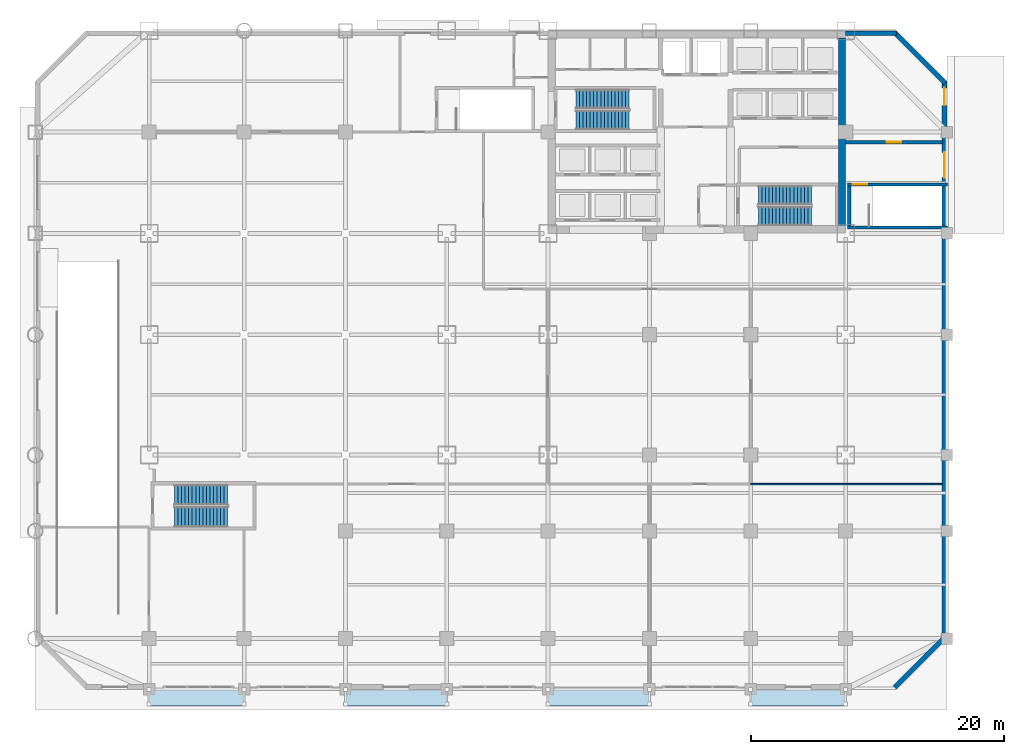
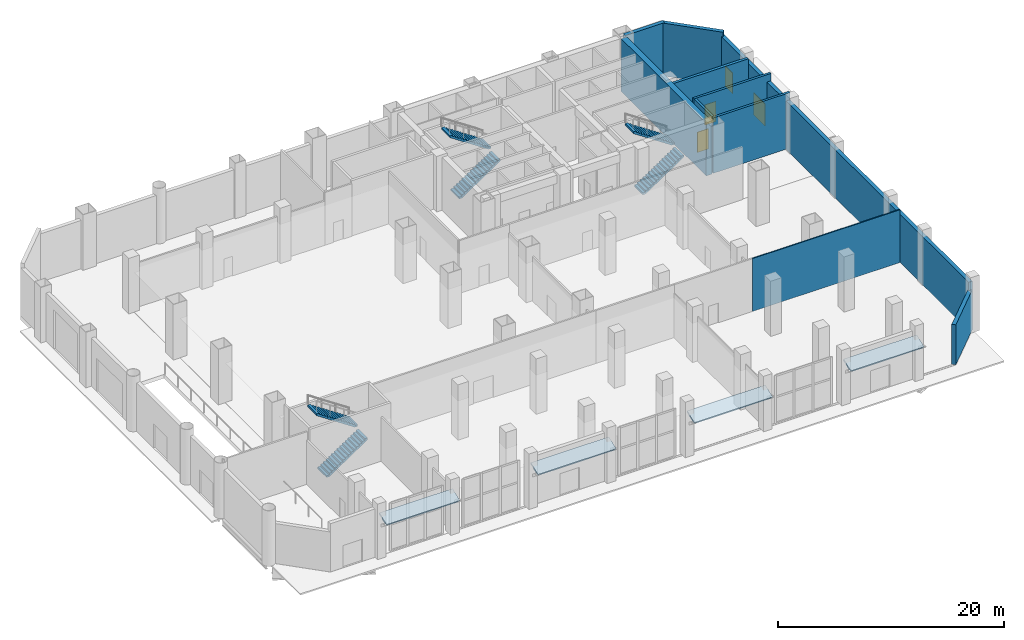
# One storey, part 14 of 19: 10 walls, 6 stair flights, 4 doors, 4 roofs, 4 openings, 3 elements without a shape of their own.
"""IFC4 building model written with IfcOpenShell, lengths in metres."""

from ifc_helpers import new_model, si_unit, direction, frame, frame_2d, origin, place, context, subcontext, project, spatial, polyline, rectangle, outline, extrude, material, layer, layer_set, type_object, element, fill, aggregate, save


model = new_model("IFC4")

# Units and contexts
model_context = context("Model", 3, precision=1e-05, world=origin(), true_north=direction((0.0, 1.0)))
body_context = subcontext(model_context, "Body", "Model", "MODEL_VIEW")
ifc_project = project(units=[si_unit("LENGTHUNIT", "METRE"), si_unit("AREAUNIT", "SQUARE_METRE"), si_unit("VOLUMEUNIT", "CUBIC_METRE"), si_unit("PLANEANGLEUNIT", "RADIAN"), si_unit("MASSUNIT", "GRAM", prefix="KILO")], contexts=[model_context])

# Site, building, storey
site_placement = place(None, origin())
site = spatial("IfcSite", under=ifc_project, at=site_placement, CompositionType="ELEMENT")
building_placement = place(site_placement, origin())
building = spatial("IfcBuilding", under=site, at=building_placement, Name="Qianrong Seaharbour Tower", CompositionType="ELEMENT")
storey_placement = place(building_placement, origin())
storey = spatial("IfcBuildingStorey", under=building, at=storey_placement, Name="L01", CompositionType="ELEMENT", Elevation=0.0)

# Walls
ifc_material_1 = material(Name="Concrete C70/85", Category="concrete")
ifc_layer_1 = layer(ifc_material_1, 0.580078125)
ifc_layer_set_1 = layer_set([ifc_layer_1], Name="Concrete C70/85")
wall_type_1 = type_object("IfcWallType", Name="WALL-CORE-580", PredefinedType="SHEAR", material=ifc_layer_set_1)
wall_1_placement = place(storey_placement, frame((63.7099609375, 36.320068359375, 0.0), z_axis=(0.0, 0.0, 1.0), x_axis=(0.0, 1.0, 0.0)))
element("IfcWall", 1, at=wall_1_placement, inside=storey, type_object=wall_type_1, Name="L01 East Core Shear Wall", PredefinedType="SHEAR", context=body_context, shape_type="SweptSolid", body=[
    extrude(rectangle(XDim=15.099853515625, YDim=0.580078125, at=frame_2d((7.5498046875, 0.0))), origin(), (0.0, 0.0, 1.0), 5.719970703125),
])
ifc_material_2 = material(Name="Demountable aluminium-framed acoustic office partition", Category="aluminium")
ifc_layer_2 = layer(ifc_material_2, 0.110107421875)
ifc_layer_set_2 = layer_set([ifc_layer_2], Name="Demountable aluminium-framed acoustic office partition")
wall_type_2 = type_object("IfcWallType", Name="WALL-DEMOUNT-110", PredefinedType="MOVABLE", material=ifc_layer_set_2)
wall_2_placement = place(storey_placement, frame((71.6279296875, 16.199951171875, 0.0), z_axis=(0.0, 0.0, 1.0), x_axis=(-1.0, 0.0, 0.0)))
element("IfcWall", 2, at=wall_2_placement, inside=storey, type_object=wall_type_2, Name="L01 Interior Partition Wall 028", PredefinedType="MOVABLE", context=body_context, shape_type="SweptSolid", body=[
    extrude(rectangle(XDim=15.1279296875, YDim=0.110107421875, at=frame_2d((7.56396484375, 0.0))), origin(), (0.0, 0.0, 1.0), 5.719970703125),
])

# Wall, opening, door
ifc_material_3 = material(Name="Concrete C50/60", Category="concrete")
ifc_layer_3 = layer(ifc_material_3, 0.280029296875)
ifc_layer_set_3 = layer_set([ifc_layer_3], Name="Concrete C50/60")
wall_type_3 = type_object("IfcWallType", Name="WALL-DPC-RC280", PredefinedType="SOLIDWALL", material=ifc_layer_set_3)
wall_3_placement = place(storey_placement, frame((71.6279296875, 43.199951171875, 0.0), z_axis=(0.0, 0.0, 1.0), x_axis=(-1.0, 0.0, 0.0)))
wall_3 = element("IfcWall", 3, at=wall_3_placement, inside=storey, type_object=wall_type_3, Name="L01 Interior Partition Wall 017", PredefinedType="SOLIDWALL", context=body_context, shape_type="SweptSolid", body=[
    extrude(rectangle(XDim=7.6279296875, YDim=0.280029296875, at=frame_2d((3.81396484375, 0.0))), origin(), (0.0, 0.0, 1.0), 5.719970703125),
])
opening_1_placement = place(wall_3_placement, frame((3.239013671875, 0.0, 0.0)))
opening_1 = element("IfcOpeningElement", 4, at=opening_1_placement, cuts=wall_3, Name="Opening FD-120", PredefinedType="OPENING", context=body_context, shape_type="SweptSolid", body=[
    extrude(rectangle(XDim=1.14990234375, YDim=2.199951171875, at=frame_2d((0.574951171875, 1.10009765625))), frame((0.0, 0.14990234375, 0.0), z_axis=(0.0, -1.0, 0.0), x_axis=(1.0, 0.0, 0.0)), (0.0, 0.0, 1.0), 0.300048828125),
])
ifc_material_4 = material(Name="Acoustic timber and galvanized steel fire door assembly", Category="steel")
door_type_1 = type_object("IfcDoorType", Name="DOOR-DPC-FD120-1150x2200", OperationType="NOTDEFINED", PredefinedType="DOOR", material=ifc_material_4)
door_1_placement = place(opening_1_placement, origin())
door_1 = element("IfcDoor", 5, at=door_1_placement, inside=storey, type_object=door_type_1, Name="L01 Central Disaster Prevention Center Door", OperationType="SINGLE_SWING_RIGHT", OverallHeight=2.199951171875, OverallWidth=1.14990234375, PredefinedType="DOOR", context=body_context, shape_type="SweptSolid", body=[
    extrude(rectangle(XDim=1.14990234375, YDim=2.199951171875, at=frame_2d((0.574951171875, 1.10009765625))), frame((0.0, 0.02490234375, 0.0), z_axis=(0.0, -1.0, 0.0), x_axis=(1.0, 0.0, 0.0)), (0.0, 0.0, 1.0), 0.050048828125),
])
fill(opening_1, door_1)

# Walls
ifc_material_5 = material(Name="Natural honed granite dimension stone", Category="masonry")
ifc_layer_4 = layer(ifc_material_5, 0.3798828125)
ifc_layer_set_4 = layer_set([ifc_layer_4], Name="Natural honed granite dimension stone")
wall_type_4 = type_object("IfcWallType", Name="WALL-EXT-GRANITE-380", PredefinedType="SOLIDWALL", material=ifc_layer_set_4)
wall_4_placement = place(storey_placement, frame((63.97998046875, 51.81005859375, 0.0), z_axis=(0.0, 0.0, 1.0), x_axis=(1.0, 0.0, 0.0)))
element("IfcWall", 6, at=wall_4_placement, inside=storey, type_object=wall_type_4, Name="L01 North-East Podium Facade Wall", PredefinedType="SOLIDWALL", context=body_context, shape_type="SweptSolid", body=[
    extrude(rectangle(XDim=4.02001953125, YDim=0.3798828125, at=frame_2d((2.010009765625, 0.0))), origin(), (0.0, 0.0, 1.0), 5.719970703125),
])
wall_5_placement = place(storey_placement, frame((67.86572265625, 51.86572265625, 0.0), z_axis=(0.0, 0.0, 1.0), x_axis=(0.707106781187, -0.707106781187, 0.0)))
element("IfcWall", 7, at=wall_5_placement, inside=storey, type_object=wall_type_4, Name="L01 Exterior Masonry Facade Wall E03", PredefinedType="SOLIDWALL", context=body_context, shape_type="SweptSolid", body=[
    extrude(rectangle(XDim=5.65673828125, YDim=0.3798828125, at=frame_2d((2.828369140625, 0.0))), origin(), (0.0, 0.0, 1.0), 5.719970703125),
])

# Wall, openings, doors
wall_6_placement = place(storey_placement, frame((71.81005859375, 48.0, 0.0), z_axis=(0.0, 0.0, 1.0), x_axis=(0.0, -1.0, 0.0)))
wall_6 = element("IfcWall", 8, at=wall_6_placement, inside=storey, type_object=wall_type_4, Name="L01 Exterior Masonry Facade Wall EAST_WING", PredefinedType="SOLIDWALL", context=body_context, shape_type="SweptSolid", body=[
    extrude(rectangle(XDim=44.0, YDim=0.3798828125, at=frame_2d((22.0, 0.0))), origin(), (0.0, 0.0, 1.0), 5.219970703125),
])
opening_2_placement = place(wall_6_placement, frame((5.60009765625, 0.0, 0.0)))
opening_2 = element("IfcOpeningElement", 9, at=opening_2_placement, cuts=wall_6, Name="Opening EXD-1", PredefinedType="OPENING", context=body_context, shape_type="SweptSolid", body=[
    extrude(rectangle(XDim=2.0, YDim=2.39990234375, at=frame_2d((1.0, 1.199951171875))), frame((0.0, 0.199951171875, 0.0), z_axis=(0.0, -1.0, 0.0), x_axis=(1.0, 0.0, 0.0)), (0.0, 0.0, 1.0), 0.39990234375),
])
opening_3_placement = place(wall_6_placement, frame((0.5, 0.0, 0.0)))
opening_3 = element("IfcOpeningElement", 10, at=opening_3_placement, cuts=wall_6, Name="Opening EXD-2", PredefinedType="OPENING", context=body_context, shape_type="SweptSolid", body=[
    extrude(rectangle(XDim=1.39990234375, YDim=2.25, at=frame_2d((0.699951171875, 1.125))), frame((0.0, 0.199951171875, 0.0), z_axis=(0.0, -1.0, 0.0), x_axis=(1.0, 0.0, 0.0)), (0.0, 0.0, 1.0), 0.39990234375),
])
ifc_material_6 = material(Name="Insulated galvanized steel and laminated glass door assembly", Category="steel")
door_type_2 = type_object("IfcDoorType", Name="DOOR-EXT-DPC-1400x2250", OperationType="NOTDEFINED", PredefinedType="DOOR", material=ifc_material_6)
door_2_placement = place(opening_3_placement, origin())
door_2 = element("IfcDoor", 11, at=door_2_placement, inside=storey, type_object=door_type_2, Name="L01 Disaster Prevention Center Fireman Entrance EX-06", OperationType="SINGLE_SWING_LEFT", OverallHeight=2.25, OverallWidth=1.39990234375, PredefinedType="DOOR", context=body_context, shape_type="SweptSolid", body=[
    extrude(rectangle(XDim=1.39990234375, YDim=2.25, at=frame_2d((0.699951171875, 1.125))), frame((0.0, 0.02490234375, 0.0), z_axis=(0.0, -1.0, 0.0), x_axis=(1.0, 0.0, 0.0)), (0.0, 0.0, 1.0), 0.050048828125),
])
fill(opening_3, door_2)
door_type_3 = type_object("IfcDoorType", Name="DOOR-EXT-EXIT-2000x2400", OperationType="DOUBLE_DOOR_SINGLE_SWING", PredefinedType="DOOR", material=ifc_material_6)
door_3_placement = place(opening_2_placement, origin())
door_3 = element("IfcDoor", 12, at=door_3_placement, inside=storey, type_object=door_type_3, Name="L01 East Basement Discharge Exit Door EX-05", OperationType="DOUBLE_DOOR_SINGLE_SWING", OverallHeight=2.39990234375, OverallWidth=2.0, PredefinedType="DOOR", context=body_context, shape_type="SweptSolid", body=[
    extrude(rectangle(XDim=2.0, YDim=2.39990234375, at=frame_2d((1.0, 1.199951171875))), frame((0.0, 0.02490234375, 0.0), z_axis=(0.0, -1.0, 0.0), x_axis=(1.0, 0.0, 0.0)), (0.0, 0.0, 1.0), 0.050048828125),
])
fill(opening_2, door_3)

# Wall
wall_7_placement = place(storey_placement, frame((71.86572265625, 4.13427734375, 0.0), z_axis=(0.0, 0.0, 1.0), x_axis=(-0.707106781187, -0.707106781187, 0.0)))
element("IfcWall", 13, at=wall_7_placement, inside=storey, type_object=wall_type_4, Name="L01 Exterior Masonry Facade Wall E05", PredefinedType="SOLIDWALL", context=body_context, shape_type="SweptSolid", body=[
    extrude(rectangle(XDim=5.65673828125, YDim=0.3798828125, at=frame_2d((2.828369140625, 0.0))), origin(), (0.0, 0.0, 1.0), 4.320068359375),
])

# Wall, opening, door
ifc_layer_5 = layer(ifc_material_3, 0.239990234375)
ifc_layer_set_5 = layer_set([ifc_layer_5], Name="Concrete C50/60")
wall_type_5 = type_object("IfcWallType", Name="WALL-SHAFT-RC240", PredefinedType="SOLIDWALL", material=ifc_layer_set_5)
wall_8_placement = place(storey_placement, frame((64.159912109375, 39.8701171875, 0.0), z_axis=(0.0, 0.0, 1.0), x_axis=(1.0, 0.0, 0.0)))
wall_8 = element("IfcWall", 14, at=wall_8_placement, inside=storey, type_object=wall_type_5, Name="L01 BST-2 Structural Stair Core Wall N", PredefinedType="SOLIDWALL", context=body_context, shape_type="SweptSolid", body=[
    extrude(rectangle(XDim=7.880126953125, YDim=0.239990234375, at=frame_2d((3.93994140625, 0.0))), origin(), (0.0, 0.0, 1.0), 6.0),
])
opening_4_placement = place(wall_8_placement, frame((0.389892578125, 0.0, 0.0)))
opening_4 = element("IfcOpeningElement", 15, at=opening_4_placement, cuts=wall_8, Name="Opening SD-01", PredefinedType="OPENING", context=body_context, shape_type="SweptSolid", body=[
    extrude(rectangle(XDim=1.14990234375, YDim=2.199951171875, at=frame_2d((0.574951171875, 1.10009765625))), frame((0.0, 0.1298828125, 0.0), z_axis=(0.0, -1.0, 0.0), x_axis=(1.0, 0.0, 0.0)), (0.0, 0.0, 1.0), 0.260009765625),
])
door_type_4 = type_object("IfcDoorType", Name="DOOR-STAIR-FD60-1150x2200", OperationType="NOTDEFINED", PredefinedType="DOOR", material=ifc_material_4)
door_4_placement = place(opening_4_placement, origin())
door_4 = element("IfcDoor", 16, at=door_4_placement, inside=storey, type_object=door_type_4, Name="L01 BST-2 Protected Stair Door", OperationType="SINGLE_SWING_LEFT", OverallHeight=2.199951171875, OverallWidth=1.14990234375, PredefinedType="DOOR", context=body_context, shape_type="SweptSolid", body=[
    extrude(rectangle(XDim=1.14990234375, YDim=2.199951171875, at=frame_2d((0.574951171875, 1.10009765625))), frame((0.0, 0.02490234375, 0.0), z_axis=(0.0, -1.0, 0.0), x_axis=(1.0, 0.0, 0.0)), (0.0, 0.0, 1.0), 0.050048828125),
])
fill(opening_4, door_4)

# Walls
wall_9_placement = place(storey_placement, frame((72.0400390625, 36.47998046875, 0.0), z_axis=(0.0, 0.0, 1.0), x_axis=(-1.0, 0.0, 0.0)))
element("IfcWall", 17, at=wall_9_placement, inside=storey, type_object=wall_type_5, Name="L01 BST-2 Structural Stair Core Wall S", PredefinedType="SOLIDWALL", context=body_context, shape_type="SweptSolid", body=[
    extrude(rectangle(XDim=7.880126953125, YDim=0.239990234375, at=frame_2d((3.93994140625, 0.0))), origin(), (0.0, 0.0, 1.0), 6.0),
])
wall_10_placement = place(storey_placement, frame((64.280029296875, 39.75, 0.0), z_axis=(0.0, 0.0, 1.0), x_axis=(0.0, -1.0, 0.0)))
element("IfcWall", 18, at=wall_10_placement, inside=storey, type_object=wall_type_5, Name="L01 BST-2 Structural Stair Core Wall W", PredefinedType="SOLIDWALL", context=body_context, shape_type="SweptSolid", body=[
    extrude(rectangle(XDim=3.14990234375, YDim=0.239990234375, at=frame_2d((1.574951171875, 0.0))), origin(), (0.0, 0.0, 1.0), 6.0),
])

# Stair, stair flights
stair_type_1 = type_object("IfcStairType", Name="STAIR-DOGLEG-1500-R32", PredefinedType="HALF_TURN_STAIR", material=ifc_material_3)
stair_1_placement = place(storey_placement, origin())
stair_1 = element("IfcStair", 19, at=stair_1_placement, inside=storey, type_object=stair_type_1, Name="L01 Protected Escape Stair ST-1", PredefinedType="HALF_TURN_STAIR")
stair_flight_type_1 = type_object("IfcStairFlightType", Name="FLIGHT-STR-1500-R32", PredefinedType="STRAIGHT", material=ifc_material_3)
stair_flight_1_placement = place(storey_placement, frame((42.699951171875, 44.949951171875, 0.0), z_axis=(0.0, 0.0, 1.0), x_axis=(1.0, 0.0, 0.0)))
stair_flight_1 = element("IfcStairFlight", 20, at=stair_flight_1_placement, type_object=stair_flight_type_1, Name="ST-1 flight 1", NumberOfRisers=16, NumberOfTreads=15, PredefinedType="STRAIGHT", RiserHeight=0.1875, TreadLength=0.28, context=body_context, shape_type="SweptSolid", body=[
    extrude(outline(polyline([(0.0, 0.0), (0.0, 0.1875), (0.280029296875, 0.1875), (0.280029296875, 0.375), (0.56005859375, 0.375), (0.56005859375, 0.5625), (0.840087890625, 0.5625), (0.840087890625, 0.75), (1.1201171875, 0.75), (1.1201171875, 0.9375), (1.39990234375, 0.9375), (1.39990234375, 1.125), (1.679931640625, 1.125), (1.679931640625, 1.3125), (1.9599609375, 1.3125), (1.9599609375, 1.5), (2.239990234375, 1.5), (2.239990234375, 1.6875), (2.52001953125, 1.6875), (2.52001953125, 1.875), (2.800048828125, 1.875), (2.800048828125, 2.0625), (3.080078125, 2.0625), (3.080078125, 2.25), (3.360107421875, 2.25), (3.360107421875, 2.4375), (3.639892578125, 2.4375), (3.639892578125, 2.625), (3.919921875, 2.625), (3.919921875, 2.8125), (4.199951171875, 2.8125), (4.199951171875, 3.0), (4.199951171875, 2.6201171875), (0.287353515625, 0.0), (0.0, 0.0)])), frame((0.0, 0.75, 0.0), z_axis=(0.0, -1.0, 0.0), x_axis=(1.0, 0.0, 0.0)), (0.0, 0.0, 1.0), 1.5),
])
stair_flight_2_placement = place(storey_placement, frame((46.89990234375, 46.60009765625, 3.0), z_axis=(0.0, 0.0, 1.0), x_axis=(-1.0, 0.0, 0.0)))
stair_flight_2 = element("IfcStairFlight", 21, at=stair_flight_2_placement, type_object=stair_flight_type_1, Name="ST-1 flight 2", NumberOfRisers=16, NumberOfTreads=15, PredefinedType="STRAIGHT", RiserHeight=0.1875, TreadLength=0.28, context=body_context, shape_type="SweptSolid", body=[
    extrude(outline(polyline([(0.0, 0.0), (0.0, 0.1875), (0.280029296875, 0.1875), (0.280029296875, 0.375), (0.56005859375, 0.375), (0.56005859375, 0.5625), (0.840087890625, 0.5625), (0.840087890625, 0.75), (1.1201171875, 0.75), (1.1201171875, 0.9375), (1.39990234375, 0.9375), (1.39990234375, 1.125), (1.679931640625, 1.125), (1.679931640625, 1.3125), (1.9599609375, 1.3125), (1.9599609375, 1.5), (2.239990234375, 1.5), (2.239990234375, 1.6875), (2.52001953125, 1.6875), (2.52001953125, 1.875), (2.800048828125, 1.875), (2.800048828125, 2.0625), (3.080078125, 2.0625), (3.080078125, 2.25), (3.360107421875, 2.25), (3.360107421875, 2.4375), (3.639892578125, 2.4375), (3.639892578125, 2.625), (3.919921875, 2.625), (3.919921875, 2.8125), (4.199951171875, 2.8125), (4.199951171875, 3.0), (4.199951171875, 2.6201171875), (0.287353515625, 0.0), (0.0, 0.0)])), frame((0.0, 0.75, 0.0), z_axis=(0.0, -1.0, 0.0), x_axis=(1.0, 0.0, 0.0)), (0.0, 0.0, 1.0), 1.5),
])
aggregate(stair_1, [stair_flight_1, stair_flight_2])

stair_2_placement = place(storey_placement, origin())
stair_2 = element("IfcStair", 22, at=stair_2_placement, inside=storey, type_object=stair_type_1, Name="L01 Protected Escape Stair ST-2", PredefinedType="HALF_TURN_STAIR")
stair_flight_3_placement = place(storey_placement, frame((57.10009765625, 37.35009765625, 0.0), z_axis=(0.0, 0.0, 1.0), x_axis=(1.0, 0.0, 0.0)))
stair_flight_3 = element("IfcStairFlight", 23, at=stair_flight_3_placement, type_object=stair_flight_type_1, Name="ST-2 flight 1", NumberOfRisers=16, NumberOfTreads=15, PredefinedType="STRAIGHT", RiserHeight=0.1875, TreadLength=0.28, context=body_context, shape_type="SweptSolid", body=[
    extrude(outline(polyline([(0.0, 0.0), (0.0, 0.1875), (0.280029296875, 0.1875), (0.280029296875, 0.375), (0.56005859375, 0.375), (0.56005859375, 0.5625), (0.840087890625, 0.5625), (0.840087890625, 0.75), (1.1201171875, 0.75), (1.1201171875, 0.9375), (1.39990234375, 0.9375), (1.39990234375, 1.125), (1.679931640625, 1.125), (1.679931640625, 1.3125), (1.9599609375, 1.3125), (1.9599609375, 1.5), (2.239990234375, 1.5), (2.239990234375, 1.6875), (2.52001953125, 1.6875), (2.52001953125, 1.875), (2.800048828125, 1.875), (2.800048828125, 2.0625), (3.080078125, 2.0625), (3.080078125, 2.25), (3.360107421875, 2.25), (3.360107421875, 2.4375), (3.639892578125, 2.4375), (3.639892578125, 2.625), (3.919921875, 2.625), (3.919921875, 2.8125), (4.199951171875, 2.8125), (4.199951171875, 3.0), (4.199951171875, 2.6201171875), (0.287353515625, 0.0), (0.0, 0.0)])), frame((0.0, 0.75, 0.0), z_axis=(0.0, -1.0, 0.0), x_axis=(1.0, 0.0, 0.0)), (0.0, 0.0, 1.0), 1.5),
])
stair_flight_4_placement = place(storey_placement, frame((61.300048828125, 39.0, 3.0), z_axis=(0.0, 0.0, 1.0), x_axis=(-1.0, 0.0, 0.0)))
stair_flight_4 = element("IfcStairFlight", 24, at=stair_flight_4_placement, type_object=stair_flight_type_1, Name="ST-2 flight 2", NumberOfRisers=16, NumberOfTreads=15, PredefinedType="STRAIGHT", RiserHeight=0.1875, TreadLength=0.28, context=body_context, shape_type="SweptSolid", body=[
    extrude(outline(polyline([(0.0, 0.0), (0.0, 0.1875), (0.280029296875, 0.1875), (0.280029296875, 0.375), (0.56005859375, 0.375), (0.56005859375, 0.5625), (0.840087890625, 0.5625), (0.840087890625, 0.75), (1.1201171875, 0.75), (1.1201171875, 0.9375), (1.39990234375, 0.9375), (1.39990234375, 1.125), (1.679931640625, 1.125), (1.679931640625, 1.3125), (1.9599609375, 1.3125), (1.9599609375, 1.5), (2.239990234375, 1.5), (2.239990234375, 1.6875), (2.52001953125, 1.6875), (2.52001953125, 1.875), (2.800048828125, 1.875), (2.800048828125, 2.0625), (3.080078125, 2.0625), (3.080078125, 2.25), (3.360107421875, 2.25), (3.360107421875, 2.4375), (3.639892578125, 2.4375), (3.639892578125, 2.625), (3.919921875, 2.625), (3.919921875, 2.8125), (4.199951171875, 2.8125), (4.199951171875, 3.0), (4.199951171875, 2.6201171875), (0.287353515625, 0.0), (0.0, 0.0)])), frame((0.0, 0.75, 0.0), z_axis=(0.0, -1.0, 0.0), x_axis=(1.0, 0.0, 0.0)), (0.0, 0.0, 1.0), 1.5),
])
aggregate(stair_2, [stair_flight_3, stair_flight_4])

stair_type_2 = type_object("IfcStairType", Name="STAIR-DOGLEG-1600-R32", PredefinedType="HALF_TURN_STAIR", material=ifc_material_3)
stair_3_placement = place(storey_placement, origin())
stair_3 = element("IfcStair", 25, at=stair_3_placement, inside=storey, type_object=stair_type_2, Name="L01 Protected Escape Stair PST-3", PredefinedType="HALF_TURN_STAIR")
stair_flight_type_2 = type_object("IfcStairFlightType", Name="FLIGHT-STR-1600-R32", PredefinedType="STRAIGHT", material=ifc_material_3)
stair_flight_5_placement = place(storey_placement, frame((11.0, 13.60009765625, 0.0), z_axis=(0.0, 0.0, 1.0), x_axis=(1.0, 0.0, 0.0)))
stair_flight_5 = element("IfcStairFlight", 26, at=stair_flight_5_placement, type_object=stair_flight_type_2, Name="PST-3 flight 1", NumberOfRisers=16, NumberOfTreads=15, PredefinedType="STRAIGHT", RiserHeight=0.1875, TreadLength=0.28, context=body_context, shape_type="SweptSolid", body=[
    extrude(outline(polyline([(0.0, 0.0), (0.0, 0.1875), (0.280029296875, 0.1875), (0.280029296875, 0.375), (0.56005859375, 0.375), (0.56005859375, 0.5625), (0.840087890625, 0.5625), (0.840087890625, 0.75), (1.1201171875, 0.75), (1.1201171875, 0.9375), (1.39990234375, 0.9375), (1.39990234375, 1.125), (1.679931640625, 1.125), (1.679931640625, 1.3125), (1.9599609375, 1.3125), (1.9599609375, 1.5), (2.239990234375, 1.5), (2.239990234375, 1.6875), (2.52001953125, 1.6875), (2.52001953125, 1.875), (2.800048828125, 1.875), (2.800048828125, 2.0625), (3.080078125, 2.0625), (3.080078125, 2.25), (3.360107421875, 2.25), (3.360107421875, 2.4375), (3.639892578125, 2.4375), (3.639892578125, 2.625), (3.919921875, 2.625), (3.919921875, 2.8125), (4.199951171875, 2.8125), (4.199951171875, 3.0), (4.199951171875, 2.6201171875), (0.287353515625, 0.0), (0.0, 0.0)])), frame((0.0, 0.800048828125, 0.0), z_axis=(0.0, -1.0, 0.0), x_axis=(1.0, 0.0, 0.0)), (0.0, 0.0, 1.0), 1.60009765625),
])
stair_flight_6_placement = place(storey_placement, frame((15.199951171875, 15.35009765625, 3.0), z_axis=(0.0, 0.0, 1.0), x_axis=(-1.0, 0.0, 0.0)))
stair_flight_6 = element("IfcStairFlight", 27, at=stair_flight_6_placement, type_object=stair_flight_type_2, Name="PST-3 flight 2", NumberOfRisers=16, NumberOfTreads=15, PredefinedType="STRAIGHT", RiserHeight=0.1875, TreadLength=0.28, context=body_context, shape_type="SweptSolid", body=[
    extrude(outline(polyline([(0.0, 0.0), (0.0, 0.1875), (0.280029296875, 0.1875), (0.280029296875, 0.375), (0.56005859375, 0.375), (0.56005859375, 0.5625), (0.840087890625, 0.5625), (0.840087890625, 0.75), (1.1201171875, 0.75), (1.1201171875, 0.9375), (1.39990234375, 0.9375), (1.39990234375, 1.125), (1.679931640625, 1.125), (1.679931640625, 1.3125), (1.9599609375, 1.3125), (1.9599609375, 1.5), (2.239990234375, 1.5), (2.239990234375, 1.6875), (2.52001953125, 1.6875), (2.52001953125, 1.875), (2.800048828125, 1.875), (2.800048828125, 2.0625), (3.080078125, 2.0625), (3.080078125, 2.25), (3.360107421875, 2.25), (3.360107421875, 2.4375), (3.639892578125, 2.4375), (3.639892578125, 2.625), (3.919921875, 2.625), (3.919921875, 2.8125), (4.199951171875, 2.8125), (4.199951171875, 3.0), (4.199951171875, 2.6201171875), (0.287353515625, 0.0), (0.0, 0.0)])), frame((0.0, 0.800048828125, 0.0), z_axis=(0.0, -1.0, 0.0), x_axis=(1.0, 0.0, 0.0)), (0.0, 0.0, 1.0), 1.60009765625),
])
aggregate(stair_3, [stair_flight_5, stair_flight_6])

# Roofs
ifc_material_7 = material(Name="Precast concrete C45/55", Category="concrete")
ifc_layer_6 = layer(ifc_material_7, 0.179931640625)
ifc_layer_set_6 = layer_set([ifc_layer_6], Name="Precast concrete C45/55")
roof_type = type_object("IfcRoofType", Name="ROOF-CANOPY-180", PredefinedType="HIP_ROOF", material=ifc_layer_set_6)
roof_1_placement = place(storey_placement, frame((9.0, -1.300048828125, 4.14990234375), z_axis=(0.0, -0.358967333913, 0.933350123578), x_axis=(1.0, 0.0, 0.0)))
element("IfcRoof", 28, at=roof_1_placement, inside=storey, type_object=roof_type, Name="Waterfront Colonnade Entrance Canopy Roof 1", PredefinedType="HIP_ROOF", context=body_context, shape_type="SweptSolid", body=[
    extrude(outline(polyline([(0.0, 0.0), (7.5, 0.0), (7.5, 1.3928844013446289), (0.0, 1.3928844013446289), (0.0, 0.0)])), origin(), (0.0, 0.0, -1.0), 0.179931640625),
])
for number, where, z_axis, x_axis, name in (
    (29, (24.5, -1.300048828125, 4.14990234375), (0.0, -0.358967333913, 0.933350123578), (1.0, 0.0, 0.0), "Waterfront Colonnade Entrance Canopy Roof 2"),
    (30, (40.5, -1.300048828125, 4.14990234375), (0.0, -0.358967333913, 0.933350123578), (1.0, 0.0, 0.0), "Waterfront Colonnade Entrance Canopy Roof 3"),
):
    element("IfcRoof", number, at=place(storey_placement, frame(where, z_axis=z_axis, x_axis=x_axis)), inside=storey, type_object=roof_type, Name=name, PredefinedType="HIP_ROOF", context=body_context, shape_type="SweptSolid", body=[
        extrude(outline(polyline([(0.0, 0.0), (8.0, 0.0), (8.0, 1.392884401344629), (0.0, 1.392884401344629), (0.0, 0.0)])), origin(), (0.0, 0.0, -1.0), 0.179931640625),
    ])
roof_2_placement = place(storey_placement, frame((56.5, -1.300048828125, 4.14990234375), z_axis=(0.0, -0.358967333913, 0.933350123578), x_axis=(1.0, 0.0, 0.0)))
element("IfcRoof", 31, at=roof_2_placement, inside=storey, type_object=roof_type, Name="Waterfront Colonnade Entrance Canopy Roof 4", PredefinedType="HIP_ROOF", context=body_context, shape_type="SweptSolid", body=[
    extrude(outline(polyline([(0.0, 0.0), (7.5, 0.0), (7.5, 1.3928844013446289), (0.0, 1.3928844013446289), (0.0, 0.0)])), origin(), (0.0, 0.0, -1.0), 0.179931640625),
])

save(model, "model.ifc")
